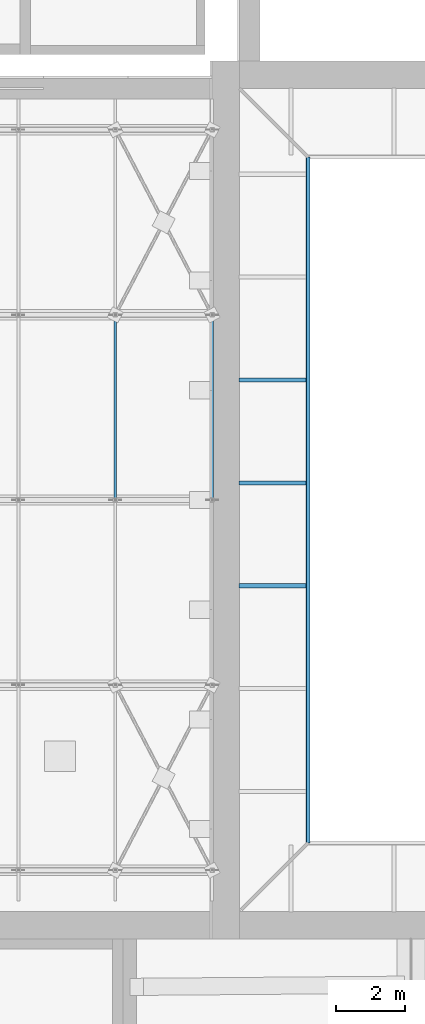
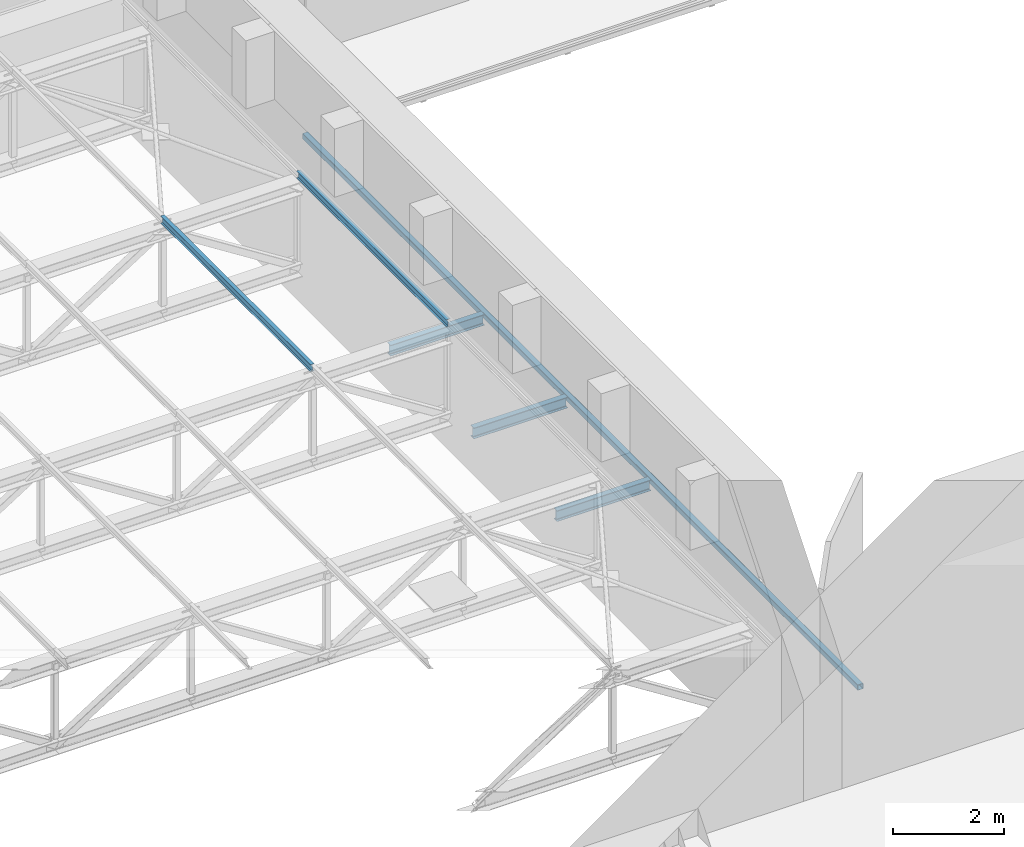
# One storey, part 36 of 132: 6 members.
"""IFC4 building model written with IfcOpenShell, lengths in metres."""

import ifcopenshell
import ifcopenshell.guid

model = None  # the IFC model being written
_history = None  # IfcOwnerHistory: only IFC2X3 demands one
_inside = {}  # id of a spatial element -> (the spatial element, [elements in it])
_under = {}  # id of a project, library or spatial element -> (it, [spatial elements below it])
_declared = {}  # id of a project -> (the project, [libraries it declares])
_typed = {}  # id of a type object -> (the type object, [elements of that type])
_made_of = {}  # id of a material, layer set ... -> (it, [elements and type objects made of it])


def new_model(schema):
    """Start an empty IFC model of exactly this schema.

    Asked for "IFC4X3", IfcOpenShell would pick the latest addendum, in which some entities
    have other attributes; the version numbers below select the first issue.
    IFC2X3 requires an IfcOwnerHistory on every rooted entity: one is made here for all.
    """
    global model, _history
    if schema == "IFC4X3":
        model = ifcopenshell.file(schema_version=(4, 3, 0, 0))
    else:
        model = ifcopenshell.file(schema=schema)
    _inside.clear()
    _under.clear()
    _declared.clear()
    _typed.clear()
    _made_of.clear()
    _history = None
    if model.schema == "IFC2X3":
        org = make("IfcOrganization", Name="unknown")
        user = make(
            "IfcPersonAndOrganization",
            ThePerson=make("IfcPerson", FamilyName="unknown"),
            TheOrganization=org,
        )
        app = make(
            "IfcApplication",
            ApplicationDeveloper=org,
            Version="unknown",
            ApplicationFullName="unknown",
            ApplicationIdentifier="unknown",
        )
        _history = make(
            "IfcOwnerHistory",
            OwningUser=user,
            OwningApplication=app,
            ChangeAction="ADDED",
            CreationDate=0,
        )
    return model


def make(cls, **values):
    """One entity of the class cls with the attributes given. An attribute that is None is left unset."""
    return model.create_entity(
        cls, **{name: value for name, value in values.items() if value is not None}
    )


def rooted(cls, **values):
    """An entity with a GlobalId (a new one), such as an element, a storey or a relation."""
    return make(cls, GlobalId=ifcopenshell.guid.new(), OwnerHistory=_history, **values)


def si_unit(unit_type, name, prefix=None):
    """IfcSIUnit, for example si_unit("LENGTHUNIT", "METRE", prefix="MILLI")."""
    return make("IfcSIUnit", UnitType=unit_type, Prefix=prefix, Name=name)


def assignment(units):
    """IfcUnitAssignment: the units of a project."""
    return None if units is None else make("IfcUnitAssignment", Units=units)


def point(xyz):
    """IfcCartesianPoint."""
    return None if xyz is None else make("IfcCartesianPoint", Coordinates=xyz)


def direction(xyz):
    """IfcDirection."""
    return None if xyz is None else make("IfcDirection", DirectionRatios=xyz)


def frame(location, z_axis=None, x_axis=None):
    """IfcAxis2Placement3D, a coordinate frame: its origin and axes. An axis left out is left unset."""
    return make(
        "IfcAxis2Placement3D",
        Location=point(location),
        Axis=direction(z_axis),
        RefDirection=direction(x_axis),
    )


def frame_2d(location, x_axis=None):
    """IfcAxis2Placement2D, a coordinate frame in the plane: its origin and x axis."""
    return make(
        "IfcAxis2Placement2D", Location=point(location), RefDirection=direction(x_axis)
    )


def origin():
    """The frame at (0, 0, 0) with its axes left unset."""
    return frame((0.0, 0.0, 0.0))


def origin_2d():
    """The frame at (0, 0) in the plane with its x axis left unset."""
    return frame_2d((0.0, 0.0))


def place(relative_to, where):
    """IfcLocalPlacement: puts the frame where relative to a parent placement (None: the world)."""
    return make(
        "IfcLocalPlacement", PlacementRelTo=relative_to, RelativePlacement=where
    )


def context(
    kind, dimensions, precision=None, world=None, true_north=None, identifier=None
):
    """IfcGeometricRepresentationContext, for example the 3D "Model" context."""
    return make(
        "IfcGeometricRepresentationContext",
        ContextIdentifier=identifier,
        ContextType=kind,
        CoordinateSpaceDimension=dimensions,
        Precision=precision,
        WorldCoordinateSystem=world,
        TrueNorth=true_north,
    )


def subcontext(parent, identifier, kind, view, scale=None):
    """IfcGeometricRepresentationSubContext, for example "Body" below "Model"."""
    return make(
        "IfcGeometricRepresentationSubContext",
        ContextIdentifier=identifier,
        ContextType=kind,
        ParentContext=parent,
        TargetScale=scale,
        TargetView=view,
    )


def project(units=None, contexts=None):
    """IfcProject with its units and contexts."""
    return rooted(
        "IfcProject",
        Name="project",
        RepresentationContexts=contexts,
        UnitsInContext=assignment(units),
    )


def spatial(cls, under=None, at=None, **own):
    """A site, building, storey or space (cls), placed at a placement, below another one or the project."""
    s = rooted(cls, ObjectPlacement=at, **own)
    if under is not None:
        _under.setdefault(under.id(), (under, []))[1].append(s)
    return s


def profile(cls, at=None, kind="AREA", **sizes):
    """A parametric profile (cls). Its sizes go by their IFC names, for example OverallWidth=200.0."""
    return make(cls, ProfileType=kind, Position=at, **sizes)


def hollow_rectangle(**sizes):
    """IfcRectangleHollowProfileDef."""
    return profile("IfcRectangleHollowProfileDef", **sizes)


def i_section(**sizes):
    """IfcIShapeProfileDef."""
    return profile("IfcIShapeProfileDef", **sizes)


def extrude(swept, where, along, depth):
    """IfcExtrudedAreaSolid: the profile swept, set in the frame where, extruded along a direction by depth."""
    return make(
        "IfcExtrudedAreaSolid",
        SweptArea=swept,
        Position=where,
        ExtrudedDirection=direction(along),
        Depth=depth,
    )


def shape(context_of_items, identifier, shape_type, items):
    """IfcShapeRepresentation: the items that make up one representation, for example the "Body"."""
    return make(
        "IfcShapeRepresentation",
        ContextOfItems=context_of_items,
        RepresentationIdentifier=identifier,
        RepresentationType=shape_type,
        Items=items,
    )


def material(Name=None, Category=None):
    """IfcMaterial."""
    return make("IfcMaterial", Name=Name, Category=Category)


def material_profile(
    of_material, cross_section, Name=None, Category=None, Priority=None
):
    """IfcMaterialProfile: a cross section and its material."""
    return make(
        "IfcMaterialProfile",
        Name=Name,
        Material=of_material,
        Profile=cross_section,
        Priority=Priority,
        Category=Category,
    )


def profile_set(profiles, Name=None, composite=None):
    """IfcMaterialProfileSet."""
    return make(
        "IfcMaterialProfileSet",
        Name=Name,
        MaterialProfiles=profiles,
        CompositeProfile=composite,
    )


def made_of(thing, what):
    """Note that an element or type object is made of a material, layer set ...; save() writes the relation."""
    if what is not None:
        _made_of.setdefault(what.id(), (what, []))[1].append(thing)
    return thing


def type_object(cls, material=None, **own):
    """A type object (cls), such as IfcWallType, which elements share."""
    return made_of(rooted(cls, **own), material)


def element(
    cls,
    number,
    at=None,
    inside=None,
    cuts=None,
    type_object=None,
    material=None,
    context=None,
    identifier="Body",
    shape_type=None,
    held_by="IfcProductDefinitionShape",
    body=None,
    shapes=None,
    **own,
):
    """One element of the class cls, such as IfcWall. Its Tag is "e" and its number.

    at: its placement. inside: the storey or other place that contains it. cuts: it is an
    opening in that element (IfcRelVoidsElement). A single representation is given by context,
    identifier, shape_type and body (its items); several are given by shapes. held_by: the class
    of the entity that holds the representations. save() writes the other relations.
    """
    e = rooted(cls, Tag="e%d" % number, ObjectPlacement=at, **own)
    if body is not None:
        shapes = [shape(context, identifier, shape_type, body)]
    if shapes is not None:
        e.Representation = make(held_by, Representations=shapes)
    if inside is not None:
        _inside.setdefault(inside.id(), (inside, []))[1].append(e)
    if cuts is not None:
        rooted(
            "IfcRelVoidsElement", RelatingBuildingElement=cuts, RelatedOpeningElement=e
        )
    if type_object is not None:
        _typed.setdefault(type_object.id(), (type_object, []))[1].append(e)
    return made_of(e, material)


def aggregate(whole, parts):
    """IfcRelAggregates: a whole, such as a stair, and the parts it consists of."""
    return rooted("IfcRelAggregates", RelatingObject=whole, RelatedObjects=parts)


def save(model, path):
    """Write the relations noted so far, then the file.

    IfcRelAggregates (storeys below a building ...), IfcRelContainedInSpatialStructure (elements
    in a storey), IfcRelDefinesByType, IfcRelAssociatesMaterial and IfcRelDeclares: one each for
    every whole, place, type object, material and project.
    """
    for whole, parts in _under.values():
        aggregate(whole, parts)
    for where, things in _inside.values():
        rooted(
            "IfcRelContainedInSpatialStructure",
            RelatedElements=things,
            RelatingStructure=where,
        )
    for kind, things in _typed.values():
        rooted("IfcRelDefinesByType", RelatedObjects=things, RelatingType=kind)
    for what, things in _made_of.values():
        rooted("IfcRelAssociatesMaterial", RelatedObjects=things, RelatingMaterial=what)
    for by, libraries in _declared.values():
        rooted("IfcRelDeclares", RelatingContext=by, RelatedDefinitions=libraries)
    model.write(path)


model = new_model("IFC4")

# Units and contexts
model_context = context("Model", 3, precision=1e-05, world=origin(), true_north=direction((0.0, 1.0)))
body_context = subcontext(model_context, "Body", "Model", "MODEL_VIEW")
ifc_project = project(units=[si_unit("LENGTHUNIT", "METRE"), si_unit("AREAUNIT", "SQUARE_METRE"), si_unit("VOLUMEUNIT", "CUBIC_METRE"), si_unit("PLANEANGLEUNIT", "RADIAN"), si_unit("MASSUNIT", "GRAM", prefix="KILO")], contexts=[model_context])

# Site, building, storey
site_placement = place(None, origin())
site = spatial("IfcSite", under=ifc_project, at=site_placement, CompositionType="ELEMENT")
building_placement = place(site_placement, origin())
building = spatial("IfcBuilding", under=site, at=building_placement, Name="Lunette Opera House", CompositionType="ELEMENT")
storey_placement = place(building_placement, frame((0.0, 0.0, 17.0)))
storey = spatial("IfcBuildingStorey", under=building, at=storey_placement, Name="L03", CompositionType="ELEMENT", Elevation=17.0)

# Members
ifc_material_1 = material(Name="Steel S355", Category="steel")
ifc_material_profile_1 = material_profile(ifc_material_1, i_section(OverallWidth=0.1201171875, OverallDepth=0.239990234375, WebThickness=0.006103515625, FlangeThickness=0.009765625, FilletRadius=0.014892578125, at=origin_2d()), Name="IPE 240")
ifc_profile_set_1 = profile_set([ifc_material_profile_1], Name="Steel S355")
member_type_1 = type_object("IfcMemberType", Name="BRACKET IPE 240", PredefinedType="MEMBER", material=ifc_profile_set_1)
for number, where, z_axis, x_axis, name in (
    (1, (83.989990234375, 105.5, -0.179931640625), (1.0, 0.0, 0.0), (0.0, 1.0, 0.0), "mem-ST-L03-FG2-BKW839-1055"),
    (2, (83.989990234375, 108.5, -0.179931640625), (1.0, 0.0, 0.0), (0.0, 1.0, 0.0), "mem-ST-L03-FG2-BKW839-1085"),
    (3, (83.989990234375, 111.5, -0.179931640625), (1.0, 0.0, 0.0), (0.0, 1.0, 0.0), "mem-ST-L03-FG2-BKW839-1115"),
):
    element("IfcMember", number, at=place(storey_placement, frame(where, z_axis=z_axis, x_axis=x_axis)), inside=storey, type_object=member_type_1, Name=name, PredefinedType="MEMBER", context=body_context, shape_type="SweptSolid", body=[
        extrude(i_section(OverallWidth=0.1201171875, OverallDepth=0.239990234375, WebThickness=0.006103515625, FlangeThickness=0.009765625, FilletRadius=0.014892578125, at=origin_2d()), origin(), (0.0, 0.0, 1.0), 1.949951171875),
    ])
ifc_material_2 = material(Name="Steel S355", Category="steel")
ifc_material_profile_2 = material_profile(ifc_material_2, hollow_rectangle(XDim=0.1201171875, YDim=0.1201171875, WallThickness=0.006103515625, InnerFilletRadius=0.006103515625, OuterFilletRadius=0.011962890625, at=origin_2d()), Name="RHS 120X120X6")
ifc_profile_set_2 = profile_set([ifc_material_profile_2], Name="Steel S355")
member_type_2 = type_object("IfcMemberType", Name="EDGE RHS 120X120X6", PredefinedType="MEMBER", material=ifc_profile_set_2)
member_placement = place(storey_placement, frame((86.0, 98.0, -0.1201171875), z_axis=(0.0, 1.0, 0.0), x_axis=(-1.0, 0.0, 0.0)))
element("IfcMember", 4, at=member_placement, inside=storey, type_object=member_type_2, Name="mem-ST-L03-FG2-EDW", PredefinedType="MEMBER", context=body_context, shape_type="SweptSolid", body=[
    extrude(hollow_rectangle(XDim=0.1201171875, YDim=0.1201171875, WallThickness=0.006103515625, InnerFilletRadius=0.006103515625, OuterFilletRadius=0.011962890625, at=origin_2d()), origin(), (0.0, 0.0, 1.0), 20.0),
])
ifc_material_3 = material(Name="Steel S355", Category="steel")
ifc_material_profile_3 = material_profile(ifc_material_3, i_section(OverallWidth=0.08203125, OverallDepth=0.159912109375, WebThickness=0.0048828125, FlangeThickness=0.00732421875, FilletRadius=0.009033203125, at=origin_2d()), Name="IPE 160")
ifc_profile_set_3 = profile_set([ifc_material_profile_3], Name="Steel S355")
member_type_3 = type_object("IfcMemberType", Name="PURLIN IPE 160", PredefinedType="PURLIN", material=ifc_profile_set_3)
for number, where, z_axis, x_axis, name in (
    (5, (80.375, 108.0, 2.800048828125), (0.0, 1.0, 0.0), (-1.0, 0.0, 0.0), "mem-ST-L03-SW-TR-PU8-4"),
    (6, (83.199951171875, 108.0, 2.800048828125), (0.0, 1.0, 0.0), (-1.0, 0.0, 0.0), "mem-ST-L03-SW-TR-PU9-4"),
):
    element("IfcMember", number, at=place(storey_placement, frame(where, z_axis=z_axis, x_axis=x_axis)), inside=storey, type_object=member_type_3, Name=name, PredefinedType="PURLIN", context=body_context, shape_type="SweptSolid", body=[
        extrude(i_section(OverallWidth=0.08203125, OverallDepth=0.159912109375, WebThickness=0.0048828125, FlangeThickness=0.00732421875, FilletRadius=0.009033203125, at=origin_2d()), origin(), (0.0, 0.0, 1.0), 5.39990234375),
    ])

save(model, "model.ifc")
